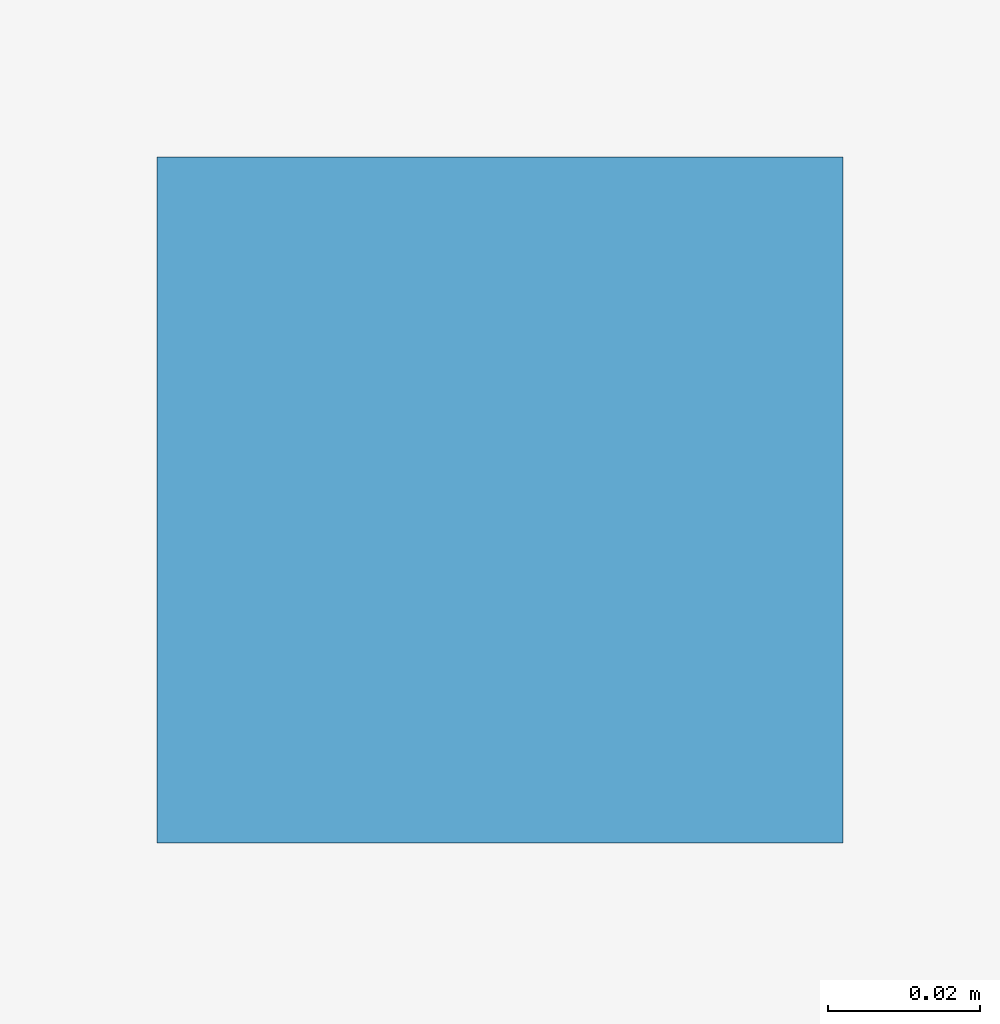
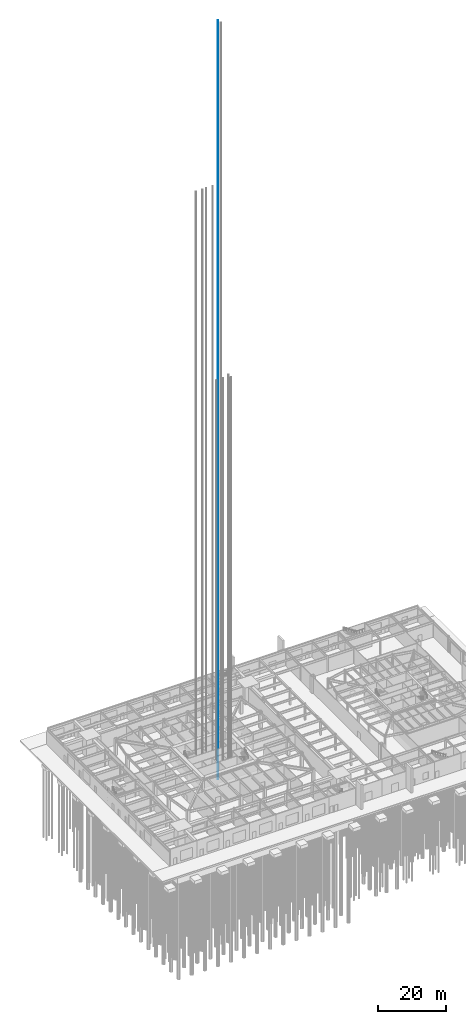
# One storey, part 32 of 37: 1 discrete accessory.
"""IFC4 building model written with IfcOpenShell, lengths in metres."""

from ifc_helpers import new_model, si_unit, direction, frame, origin, origin_2d, place, context, subcontext, project, spatial, rectangle, extrude, material, element, save


model = new_model("IFC4")

# Units and contexts
model_context = context("Model", 3, precision=1e-05, world=origin(), true_north=direction((0.0, 1.0)))
body_context = subcontext(model_context, "Body", "Model", "MODEL_VIEW")
ifc_project = project(units=[si_unit("LENGTHUNIT", "METRE"), si_unit("AREAUNIT", "SQUARE_METRE"), si_unit("VOLUMEUNIT", "CUBIC_METRE"), si_unit("PLANEANGLEUNIT", "RADIAN"), si_unit("MASSUNIT", "GRAM", prefix="KILO")], contexts=[model_context])

# Site, building, storey
site_placement = place(None, origin())
site = spatial("IfcSite", under=ifc_project, at=site_placement, CompositionType="ELEMENT")
building_placement = place(site_placement, origin())
building = spatial("IfcBuilding", under=site, at=building_placement, Name="Iwan Alto Co-Living Towers", CompositionType="ELEMENT")
storey_placement = place(building_placement, origin())
storey = spatial("IfcBuildingStorey", under=building, at=storey_placement, Name="L00", CompositionType="ELEMENT", Elevation=0.0)

# Discrete accessory
ifc_material = material(Name="Steel ASTM A36", Category="steel")
placement = place(storey_placement, frame((3.43359375, 3.0, 0.0), z_axis=(0.0, 0.0, 1.0), x_axis=(1.0, 0.0, 0.0)))
discrete_accessory_placement = place(placement, origin())
element("IfcDiscreteAccessory", 1, at=discrete_accessory_placement, inside=storey, material=ifc_material, Name="Lift P4-3 guide rail 2", ObjectType="Lift guide rail", PredefinedType="USERDEFINED", context=body_context, shape_type="SweptSolid", body=[
    extrude(rectangle(XDim=0.09, YDim=0.09, at=origin_2d()), frame((0.0, 0.85009765625, -6.89990234375)), (0.0, 0.0, 1.0), 273.300048828125),
])

save(model, "model.ifc")
